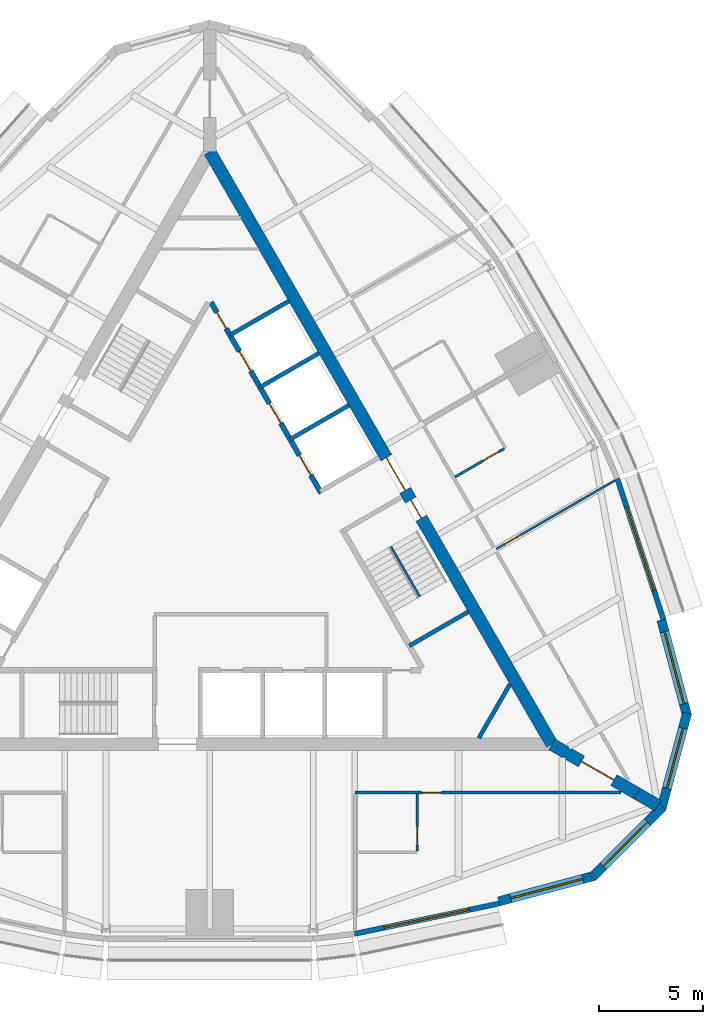
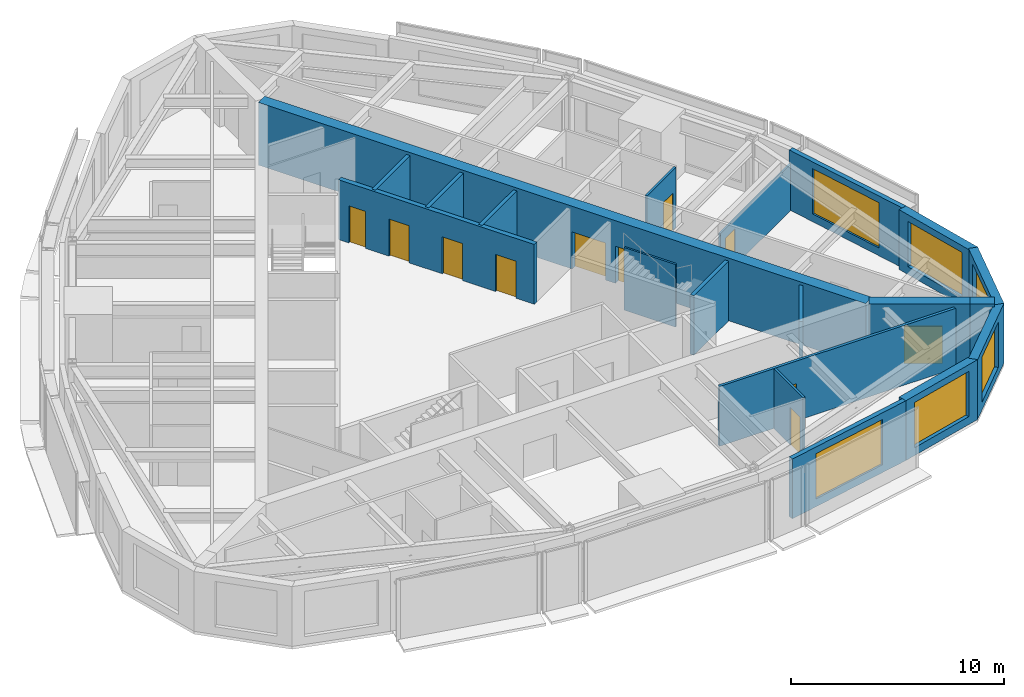
# One storey, part 9 of 12: 20 walls, 11 doors, 6 windows, 17 openings.
"""IFC4 building model written with IfcOpenShell, lengths in metres."""

import ifcopenshell
import ifcopenshell.guid

model = None  # the IFC model being written
_history = None  # IfcOwnerHistory: only IFC2X3 demands one
_inside = {}  # id of a spatial element -> (the spatial element, [elements in it])
_under = {}  # id of a project, library or spatial element -> (it, [spatial elements below it])
_declared = {}  # id of a project -> (the project, [libraries it declares])
_typed = {}  # id of a type object -> (the type object, [elements of that type])
_made_of = {}  # id of a material, layer set ... -> (it, [elements and type objects made of it])


def new_model(schema):
    """Start an empty IFC model of exactly this schema.

    Asked for "IFC4X3", IfcOpenShell would pick the latest addendum, in which some entities
    have other attributes; the version numbers below select the first issue.
    IFC2X3 requires an IfcOwnerHistory on every rooted entity: one is made here for all.
    """
    global model, _history
    if schema == "IFC4X3":
        model = ifcopenshell.file(schema_version=(4, 3, 0, 0))
    else:
        model = ifcopenshell.file(schema=schema)
    _inside.clear()
    _under.clear()
    _declared.clear()
    _typed.clear()
    _made_of.clear()
    _history = None
    if model.schema == "IFC2X3":
        org = make("IfcOrganization", Name="unknown")
        user = make(
            "IfcPersonAndOrganization",
            ThePerson=make("IfcPerson", FamilyName="unknown"),
            TheOrganization=org,
        )
        app = make(
            "IfcApplication",
            ApplicationDeveloper=org,
            Version="unknown",
            ApplicationFullName="unknown",
            ApplicationIdentifier="unknown",
        )
        _history = make(
            "IfcOwnerHistory",
            OwningUser=user,
            OwningApplication=app,
            ChangeAction="ADDED",
            CreationDate=0,
        )
    return model


def make(cls, **values):
    """One entity of the class cls with the attributes given. An attribute that is None is left unset."""
    return model.create_entity(
        cls, **{name: value for name, value in values.items() if value is not None}
    )


def rooted(cls, **values):
    """An entity with a GlobalId (a new one), such as an element, a storey or a relation."""
    return make(cls, GlobalId=ifcopenshell.guid.new(), OwnerHistory=_history, **values)


def si_unit(unit_type, name, prefix=None):
    """IfcSIUnit, for example si_unit("LENGTHUNIT", "METRE", prefix="MILLI")."""
    return make("IfcSIUnit", UnitType=unit_type, Prefix=prefix, Name=name)


def assignment(units):
    """IfcUnitAssignment: the units of a project."""
    return None if units is None else make("IfcUnitAssignment", Units=units)


def point(xyz):
    """IfcCartesianPoint."""
    return None if xyz is None else make("IfcCartesianPoint", Coordinates=xyz)


def direction(xyz):
    """IfcDirection."""
    return None if xyz is None else make("IfcDirection", DirectionRatios=xyz)


def frame(location, z_axis=None, x_axis=None):
    """IfcAxis2Placement3D, a coordinate frame: its origin and axes. An axis left out is left unset."""
    return make(
        "IfcAxis2Placement3D",
        Location=point(location),
        Axis=direction(z_axis),
        RefDirection=direction(x_axis),
    )


def frame_2d(location, x_axis=None):
    """IfcAxis2Placement2D, a coordinate frame in the plane: its origin and x axis."""
    return make(
        "IfcAxis2Placement2D", Location=point(location), RefDirection=direction(x_axis)
    )


def origin():
    """The frame at (0, 0, 0) with its axes left unset."""
    return frame((0.0, 0.0, 0.0))


def place(relative_to, where):
    """IfcLocalPlacement: puts the frame where relative to a parent placement (None: the world)."""
    return make(
        "IfcLocalPlacement", PlacementRelTo=relative_to, RelativePlacement=where
    )


def context(
    kind, dimensions, precision=None, world=None, true_north=None, identifier=None
):
    """IfcGeometricRepresentationContext, for example the 3D "Model" context."""
    return make(
        "IfcGeometricRepresentationContext",
        ContextIdentifier=identifier,
        ContextType=kind,
        CoordinateSpaceDimension=dimensions,
        Precision=precision,
        WorldCoordinateSystem=world,
        TrueNorth=true_north,
    )


def subcontext(parent, identifier, kind, view, scale=None):
    """IfcGeometricRepresentationSubContext, for example "Body" below "Model"."""
    return make(
        "IfcGeometricRepresentationSubContext",
        ContextIdentifier=identifier,
        ContextType=kind,
        ParentContext=parent,
        TargetScale=scale,
        TargetView=view,
    )


def project(units=None, contexts=None):
    """IfcProject with its units and contexts."""
    return rooted(
        "IfcProject",
        Name="project",
        RepresentationContexts=contexts,
        UnitsInContext=assignment(units),
    )


def spatial(cls, under=None, at=None, **own):
    """A site, building, storey or space (cls), placed at a placement, below another one or the project."""
    s = rooted(cls, ObjectPlacement=at, **own)
    if under is not None:
        _under.setdefault(under.id(), (under, []))[1].append(s)
    return s


def polyline(points):
    """IfcPolyline through the points."""
    return make("IfcPolyline", Points=[point(p) for p in points])


def profile(cls, at=None, kind="AREA", **sizes):
    """A parametric profile (cls). Its sizes go by their IFC names, for example OverallWidth=200.0."""
    return make(cls, ProfileType=kind, Position=at, **sizes)


def rectangle(**sizes):
    """IfcRectangleProfileDef."""
    return profile("IfcRectangleProfileDef", **sizes)


def outline(outer, holes=None, kind="AREA"):
    """IfcArbitraryClosedProfileDef: a profile drawn as a closed curve; with holes, ...WithVoids."""
    if holes is None:
        return make("IfcArbitraryClosedProfileDef", ProfileType=kind, OuterCurve=outer)
    return make(
        "IfcArbitraryProfileDefWithVoids",
        ProfileType=kind,
        OuterCurve=outer,
        InnerCurves=holes,
    )


def extrude(swept, where, along, depth):
    """IfcExtrudedAreaSolid: the profile swept, set in the frame where, extruded along a direction by depth."""
    return make(
        "IfcExtrudedAreaSolid",
        SweptArea=swept,
        Position=where,
        ExtrudedDirection=direction(along),
        Depth=depth,
    )


def shape(context_of_items, identifier, shape_type, items):
    """IfcShapeRepresentation: the items that make up one representation, for example the "Body"."""
    return make(
        "IfcShapeRepresentation",
        ContextOfItems=context_of_items,
        RepresentationIdentifier=identifier,
        RepresentationType=shape_type,
        Items=items,
    )


def material(Name=None, Category=None):
    """IfcMaterial."""
    return make("IfcMaterial", Name=Name, Category=Category)


def layer(
    of_material, thickness, ventilated=None, Name=None, Category=None, Priority=None
):
    """IfcMaterialLayer: one layer of a wall or slab, of a material (None: an air gap)."""
    return make(
        "IfcMaterialLayer",
        Material=of_material,
        LayerThickness=thickness,
        IsVentilated=ventilated,
        Name=Name,
        Category=Category,
        Priority=Priority,
    )


def layer_set(layers, Name=None):
    """IfcMaterialLayerSet."""
    return make("IfcMaterialLayerSet", MaterialLayers=layers, LayerSetName=Name)


def made_of(thing, what):
    """Note that an element or type object is made of a material, layer set ...; save() writes the relation."""
    if what is not None:
        _made_of.setdefault(what.id(), (what, []))[1].append(thing)
    return thing


def type_object(cls, material=None, **own):
    """A type object (cls), such as IfcWallType, which elements share."""
    return made_of(rooted(cls, **own), material)


def element(
    cls,
    number,
    at=None,
    inside=None,
    cuts=None,
    type_object=None,
    material=None,
    context=None,
    identifier="Body",
    shape_type=None,
    held_by="IfcProductDefinitionShape",
    body=None,
    shapes=None,
    **own,
):
    """One element of the class cls, such as IfcWall. Its Tag is "e" and its number.

    at: its placement. inside: the storey or other place that contains it. cuts: it is an
    opening in that element (IfcRelVoidsElement). A single representation is given by context,
    identifier, shape_type and body (its items); several are given by shapes. held_by: the class
    of the entity that holds the representations. save() writes the other relations.
    """
    e = rooted(cls, Tag="e%d" % number, ObjectPlacement=at, **own)
    if body is not None:
        shapes = [shape(context, identifier, shape_type, body)]
    if shapes is not None:
        e.Representation = make(held_by, Representations=shapes)
    if inside is not None:
        _inside.setdefault(inside.id(), (inside, []))[1].append(e)
    if cuts is not None:
        rooted(
            "IfcRelVoidsElement", RelatingBuildingElement=cuts, RelatedOpeningElement=e
        )
    if type_object is not None:
        _typed.setdefault(type_object.id(), (type_object, []))[1].append(e)
    return made_of(e, material)


def fill(opening, filler):
    """IfcRelFillsElement: the door or window that sits in an opening."""
    return rooted(
        "IfcRelFillsElement",
        RelatingOpeningElement=opening,
        RelatedBuildingElement=filler,
    )


def aggregate(whole, parts):
    """IfcRelAggregates: a whole, such as a stair, and the parts it consists of."""
    return rooted("IfcRelAggregates", RelatingObject=whole, RelatedObjects=parts)


def save(model, path):
    """Write the relations noted so far, then the file.

    IfcRelAggregates (storeys below a building ...), IfcRelContainedInSpatialStructure (elements
    in a storey), IfcRelDefinesByType, IfcRelAssociatesMaterial and IfcRelDeclares: one each for
    every whole, place, type object, material and project.
    """
    for whole, parts in _under.values():
        aggregate(whole, parts)
    for where, things in _inside.values():
        rooted(
            "IfcRelContainedInSpatialStructure",
            RelatedElements=things,
            RelatingStructure=where,
        )
    for kind, things in _typed.values():
        rooted("IfcRelDefinesByType", RelatedObjects=things, RelatingType=kind)
    for what, things in _made_of.values():
        rooted("IfcRelAssociatesMaterial", RelatedObjects=things, RelatingMaterial=what)
    for by, libraries in _declared.values():
        rooted("IfcRelDeclares", RelatingContext=by, RelatedDefinitions=libraries)
    model.write(path)


model = new_model("IFC4")

# Units and contexts
model_context = context("Model", 3, precision=1e-05, world=origin(), true_north=direction((0.0, 1.0)))
body_context = subcontext(model_context, "Body", "Model", "MODEL_VIEW")
ifc_project = project(units=[si_unit("LENGTHUNIT", "METRE"), si_unit("AREAUNIT", "SQUARE_METRE"), si_unit("VOLUMEUNIT", "CUBIC_METRE"), si_unit("PLANEANGLEUNIT", "RADIAN"), si_unit("MASSUNIT", "GRAM", prefix="KILO")], contexts=[model_context])

# Site, building, storey
site_placement = place(None, origin())
site = spatial("IfcSite", under=ifc_project, at=site_placement, CompositionType="ELEMENT")
building_placement = place(site_placement, origin())
building = spatial("IfcBuilding", under=site, at=building_placement, Name="Trikona Tower", CompositionType="ELEMENT")
storey_placement = place(building_placement, frame((0.0, 0.0, 257.300048828125)))
storey = spatial("IfcBuildingStorey", under=building, at=storey_placement, Name="L68", CompositionType="ELEMENT", Elevation=257.300048828125)

# Wall, opening, door
ifc_material_1 = material(Name="Metal stud and cement board", Category="gypsum")
ifc_layer_1 = layer(ifc_material_1, 0.1201171875)
ifc_layer_set_1 = layer_set([ifc_layer_1], Name="Bathroom wall 120")
wall_type_1 = type_object("IfcWallType", Name="Bathroom wall 120", PredefinedType="PLUMBINGWALL", material=ifc_layer_set_1)
wall_1_placement = place(storey_placement, frame((10.0, -11.92626953125, 0.0), z_axis=(0.0, 0.0, 1.0), x_axis=(0.0, -1.0, 0.0)))
wall_1 = element("IfcWall", 1, at=wall_1_placement, inside=storey, type_object=wall_type_1, Name="Bathroom wall 6802", PredefinedType="PLUMBINGWALL", context=body_context, shape_type="SweptSolid", body=[
    extrude(rectangle(XDim=2.739990234375, YDim=0.1201171875, at=frame_2d((1.3701171875, 0.0))), origin(), (0.0, 0.0, 1.0), 3.43505859375),
])
opening_1_placement = place(wall_1_placement, frame((1.550048828125, 0.0, 0.0)))
opening_1 = element("IfcOpeningElement", 2, at=opening_1_placement, cuts=wall_1, Name="Opening D2", PredefinedType="OPENING", context=body_context, shape_type="SweptSolid", body=[
    extrude(rectangle(XDim=0.89990234375, YDim=2.1298828125, at=frame_2d((0.449951171875, 1.06494140625))), frame((0.0, 0.070068359375, 0.0), z_axis=(0.0, -1.0, 0.0), x_axis=(1.0, 0.0, 0.0)), (0.0, 0.0, 1.0), 0.14013671875),
])
ifc_material_2 = material(Name="Steel door frame with solid-core timber leaf", Category="steel")
door_type_1 = type_object("IfcDoorType", Name="Bathroom door 900x2130", OperationType="SLIDING_TO_LEFT", PredefinedType="DOOR", material=ifc_material_2)
door_1_placement = place(opening_1_placement, origin())
door_1 = element("IfcDoor", 3, at=door_1_placement, inside=storey, type_object=door_type_1, Name="Bathroom door 6802", OperationType="SLIDING_TO_LEFT", OverallHeight=2.1298828125, OverallWidth=0.89990234375, PredefinedType="DOOR", context=body_context, shape_type="SweptSolid", body=[
    extrude(rectangle(XDim=0.89990234375, YDim=2.1298828125, at=frame_2d((0.449951171875, 1.06494140625))), frame((0.0, 0.02490234375, 0.0), z_axis=(0.0, -1.0, 0.0), x_axis=(1.0, 0.0, 0.0)), (0.0, 0.0, 1.0), 0.050048828125),
])
fill(opening_1, door_1)

wall_2_placement = place(storey_placement, frame((11.82861328125, 3.364990234375, 0.0), z_axis=(0.0, 0.0, 1.0), x_axis=(0.865997131366, 0.500048966069, 0.0)))
wall_2 = element("IfcWall", 4, at=wall_2_placement, inside=storey, type_object=wall_type_1, Name="Bathroom wall 6803.1", PredefinedType="PLUMBINGWALL", context=body_context, shape_type="SweptSolid", body=[
    extrude(rectangle(XDim=2.739990234375, YDim=0.1201171875, at=frame_2d((1.3701171875, 0.0))), origin(), (0.0, 0.0, 1.0), 3.43505859375),
])
opening_2_placement = place(wall_2_placement, frame((1.550048828125, 0.0, 0.0)))
opening_2 = element("IfcOpeningElement", 5, at=opening_2_placement, cuts=wall_2, Name="Opening D2", PredefinedType="OPENING", context=body_context, shape_type="SweptSolid", body=[
    extrude(rectangle(XDim=0.89990234375, YDim=2.1298828125, at=frame_2d((0.449951171875, 1.06494140625))), frame((0.0, 0.070068359375, 0.0), z_axis=(0.0, -1.0, 0.0), x_axis=(1.0, 0.0, 0.0)), (0.0, 0.0, 1.0), 0.14013671875),
])
door_2_placement = place(opening_2_placement, origin())
door_2 = element("IfcDoor", 6, at=door_2_placement, inside=storey, type_object=door_type_1, Name="Bathroom door 6803.1", OperationType="SLIDING_TO_LEFT", OverallHeight=2.1298828125, OverallWidth=0.89990234375, PredefinedType="DOOR", context=body_context, shape_type="SweptSolid", body=[
    extrude(rectangle(XDim=0.89990234375, YDim=2.1298828125, at=frame_2d((0.449951171875, 1.06494140625))), frame((0.0, 0.02490234375, 0.0), z_axis=(0.0, -1.0, 0.0), x_axis=(1.0, 0.0, 0.0)), (0.0, 0.0, 1.0), 0.050048828125),
])
fill(opening_2, door_2)

# Wall, opening, window
ifc_material_3 = material(Name="Brick-faced precast concrete", Category="masonry")
ifc_layer_2 = layer(ifc_material_3, 0.449951171875)
ifc_layer_set_2 = layer_set([ifc_layer_2], Name="Brick-faced corner wall 450")
wall_type_2 = type_object("IfcWallType", Name="Brick-faced corner wall 450", PredefinedType="SOLIDWALL", material=ifc_layer_set_2)
wall_3_placement = place(storey_placement, frame((13.94189453125, -17.103271484375, 0.0), z_axis=(0.0, 0.0, 1.0), x_axis=(0.965913862671, 0.258863689806, 0.0)))
wall_3 = element("IfcWall", 7, at=wall_3_placement, inside=storey, type_object=wall_type_2, Name="External wall L68-05", PredefinedType="SOLIDWALL", context=body_context, shape_type="SweptSolid", body=[
    extrude(rectangle(XDim=4.78173828125, YDim=0.449951171875, at=frame_2d((2.390869140625, 0.0))), origin(), (0.0, 0.0, 1.0), 3.43505859375),
])
opening_3_placement = place(wall_3_placement, frame((0.5908203125, 0.0, 0.449951171875)))
opening_3 = element("IfcOpeningElement", 8, at=opening_3_placement, cuts=wall_3, Name="Opening W3626", PredefinedType="OPENING", context=body_context, shape_type="SweptSolid", body=[
    extrude(rectangle(XDim=3.60009765625, YDim=2.60009765625, at=frame_2d((1.800048828125, 1.300048828125))), frame((0.0, 0.23486328125, 0.0), z_axis=(0.0, -1.0, 0.0), x_axis=(1.0, 0.0, 0.0)), (0.0, 0.0, 1.0), 0.469970703125),
])
ifc_material_4 = material(Name="Aluminium-framed double glazing", Category="aluminium")
window_type_1 = type_object("IfcWindowType", Name="Window 3600x2600", PartitioningType="SINGLE_PANEL", PredefinedType="WINDOW", material=ifc_material_4)
window_1_placement = place(opening_3_placement, origin())
window_1 = element("IfcWindow", 9, at=window_1_placement, inside=storey, type_object=window_type_1, Name="Window 6802", OverallHeight=2.60009765625, OverallWidth=3.60009765625, PartitioningType="SINGLE_PANEL", PredefinedType="WINDOW", context=body_context, shape_type="SweptSolid", body=[
    extrude(rectangle(XDim=3.60009765625, YDim=2.60009765625, at=frame_2d((1.800048828125, 1.300048828125))), frame((0.0, 0.030029296875, 0.0), z_axis=(0.0, -1.0, 0.0), x_axis=(1.0, 0.0, 0.0)), (0.0, 0.0, 1.0), 0.06005859375),
])
fill(opening_3, window_1)

wall_4_placement = place(storey_placement, frame((18.459716796875, -15.923828125, 0.0), z_axis=(0.0, 0.0, 1.0), x_axis=(0.707081252484, 0.707132308968, 0.0)))
wall_4 = element("IfcWall", 10, at=wall_4_placement, inside=storey, type_object=wall_type_2, Name="External wall L68-06", PredefinedType="SOLIDWALL", context=body_context, shape_type="SweptSolid", body=[
    extrude(outline(polyline([(4.78173828125, 0.22509765625), (4.722900390625, 0.22509765625), (4.37548828125, 0.1318359375), (4.3505859375, 0.22509765625), (0.0, 0.22509765625), (0.0, -0.22509765625), (4.78173828125, -0.22509765625), (4.78173828125, 0.22509765625)])), origin(), (0.0, 0.0, 1.0), 3.43505859375),
])
opening_4_placement = place(wall_4_placement, frame((0.750244140625, 0.0, 0.449951171875)))
opening_4 = element("IfcOpeningElement", 11, at=opening_4_placement, cuts=wall_4, Name="Opening W3026", PredefinedType="OPENING", context=body_context, shape_type="SweptSolid", body=[
    extrude(rectangle(XDim=3.0, YDim=2.60009765625, at=frame_2d((1.5, 1.300048828125))), frame((0.0, 0.23486328125, 0.0), z_axis=(0.0, -1.0, 0.0), x_axis=(1.0, 0.0, 0.0)), (0.0, 0.0, 1.0), 0.469970703125),
])
ifc_material_5 = material(Name="Aluminium-framed double glazing", Category="aluminium")
window_type_2 = type_object("IfcWindowType", Name="Window 3000x2600", PartitioningType="SINGLE_PANEL", PredefinedType="WINDOW", material=ifc_material_5)
window_2_placement = place(opening_4_placement, origin())
window_2 = element("IfcWindow", 12, at=window_2_placement, inside=storey, type_object=window_type_2, Name="Window 6802", OverallHeight=2.60009765625, OverallWidth=3.0, PartitioningType="SINGLE_PANEL", PredefinedType="WINDOW", context=body_context, shape_type="SweptSolid", body=[
    extrude(rectangle(XDim=3.0, YDim=2.60009765625, at=frame_2d((1.5, 1.300048828125))), frame((0.0, 0.030029296875, 0.0), z_axis=(0.0, -1.0, 0.0), x_axis=(1.0, 0.0, 0.0)), (0.0, 0.0, 1.0), 0.06005859375),
])
fill(opening_4, window_2)

wall_5_placement = place(storey_placement, frame((21.78271484375, -12.6435546875, 0.0), z_axis=(0.0, 0.0, 1.0), x_axis=(0.25880328844, 0.965930048136, 0.0)))
wall_5 = element("IfcWall", 13, at=wall_5_placement, inside=storey, type_object=wall_type_2, Name="External wall L68-07", PredefinedType="SOLIDWALL", context=body_context, shape_type="SweptSolid", body=[
    extrude(outline(polyline([(4.78173828125, 0.22509765625), (0.43115234375, 0.22509765625), (0.40625, 0.132080078125), (0.0595703125, 0.22509765625), (0.0, 0.22509765625), (0.0, -0.22509765625), (4.78173828125, -0.22509765625), (4.78173828125, 0.22509765625)])), origin(), (0.0, 0.0, 1.0), 3.43505859375),
])
opening_5_placement = place(wall_5_placement, frame((1.031494140625, 0.0, 0.449951171875)))
opening_5 = element("IfcOpeningElement", 14, at=opening_5_placement, cuts=wall_5, Name="Opening W3026", PredefinedType="OPENING", context=body_context, shape_type="SweptSolid", body=[
    extrude(rectangle(XDim=3.0, YDim=2.60009765625, at=frame_2d((1.5, 1.300048828125))), frame((0.0, 0.23486328125, 0.0), z_axis=(0.0, -1.0, 0.0), x_axis=(1.0, 0.0, 0.0)), (0.0, 0.0, 1.0), 0.469970703125),
])
window_3_placement = place(opening_5_placement, origin())
window_3 = element("IfcWindow", 15, at=window_3_placement, inside=storey, type_object=window_type_2, Name="Window 6803", OverallHeight=2.60009765625, OverallWidth=3.0, PartitioningType="SINGLE_PANEL", PredefinedType="WINDOW", context=body_context, shape_type="SweptSolid", body=[
    extrude(rectangle(XDim=3.0, YDim=2.60009765625, at=frame_2d((1.5, 1.300048828125))), frame((0.0, 0.030029296875, 0.0), z_axis=(0.0, -1.0, 0.0), x_axis=(1.0, 0.0, 0.0)), (0.0, 0.0, 1.0), 0.06005859375),
])
fill(opening_5, window_3)

wall_6_placement = place(storey_placement, frame((23.020263671875, -8.14111328125, 0.0), z_axis=(0.0, 0.0, 1.0), x_axis=(-0.25880328844, 0.965930048136, 0.0)))
wall_6 = element("IfcWall", 16, at=wall_6_placement, inside=storey, type_object=wall_type_2, Name="External wall L68-08", PredefinedType="SOLIDWALL", context=body_context, shape_type="SweptSolid", body=[
    extrude(rectangle(XDim=4.78173828125, YDim=0.449951171875, at=frame_2d((2.390869140625, 0.0))), origin(), (0.0, 0.0, 1.0), 3.43505859375),
])
opening_6_placement = place(wall_6_placement, frame((0.5908203125, 0.0, 0.449951171875)))
opening_6 = element("IfcOpeningElement", 17, at=opening_6_placement, cuts=wall_6, Name="Opening W3626", PredefinedType="OPENING", context=body_context, shape_type="SweptSolid", body=[
    extrude(rectangle(XDim=3.60009765625, YDim=2.60009765625, at=frame_2d((1.800048828125, 1.300048828125))), frame((0.0, 0.23486328125, 0.0), z_axis=(0.0, -1.0, 0.0), x_axis=(1.0, 0.0, 0.0)), (0.0, 0.0, 1.0), 0.469970703125),
])
window_4_placement = place(opening_6_placement, origin())
window_4 = element("IfcWindow", 18, at=window_4_placement, inside=storey, type_object=window_type_1, Name="Window 6803", OverallHeight=2.60009765625, OverallWidth=3.60009765625, PartitioningType="SINGLE_PANEL", PredefinedType="WINDOW", context=body_context, shape_type="SweptSolid", body=[
    extrude(rectangle(XDim=3.60009765625, YDim=2.60009765625, at=frame_2d((1.800048828125, 1.300048828125))), frame((0.0, 0.030029296875, 0.0), z_axis=(0.0, -1.0, 0.0), x_axis=(1.0, 0.0, 0.0)), (0.0, 0.0, 1.0), 0.06005859375),
])
fill(opening_6, window_4)

# Wall, opening, door
ifc_material_6 = material(Name="Concrete f'c 10000 psi", Category="concrete")
ifc_layer_3 = layer(ifc_material_6, 0.60009765625)
ifc_layer_set_3 = layer_set([ifc_layer_3], Name="Buttress wall 600")
wall_type_3 = type_object("IfcWallType", Name="Buttress wall 600", PredefinedType="SHEAR", material=ifc_layer_set_3)
wall_7_placement = place(storey_placement, frame((16.5, -9.5263671875, 0.0), z_axis=(0.0, 0.0, 1.0), x_axis=(0.866031398331, -0.499989616998, 0.0)))
wall_7 = element("IfcWall", 19, at=wall_7_placement, inside=storey, type_object=wall_type_3, Name="Buttress wall 1", PredefinedType="SHEAR", context=body_context, shape_type="SweptSolid", body=[
    extrude(rectangle(XDim=4.74609375, YDim=0.60009765625, at=frame_2d((2.373046875, 0.0))), origin(), (0.0, 0.0, 1.0), 3.599853515625),
])
opening_7_placement = place(wall_7_placement, frame((1.64990234375, 0.0, 0.0)))
opening_7 = element("IfcOpeningElement", 20, at=opening_7_placement, cuts=wall_7, Name="Opening D10", PredefinedType="OPENING", context=body_context, shape_type="SweptSolid", body=[
    extrude(rectangle(XDim=1.800048828125, YDim=2.1298828125, at=frame_2d((0.89990234375, 1.06494140625))), frame((0.0, 0.31005859375, 0.0), z_axis=(0.0, -1.0, 0.0), x_axis=(1.0, 0.0, 0.0)), (0.0, 0.0, 1.0), 0.6201171875),
])
ifc_material_7 = material(Name="Hollow metal door and frame", Category="steel")
door_type_2 = type_object("IfcDoorType", Name="Cross-corridor door pair 1800x2130", OperationType="DOUBLE_DOOR_DOUBLE_SWING", PredefinedType="DOOR", material=ifc_material_7)
door_3_placement = place(opening_7_placement, origin())
door_3 = element("IfcDoor", 21, at=door_3_placement, inside=storey, type_object=door_type_2, Name="Cross-corridor door 1", OperationType="DOUBLE_DOOR_DOUBLE_SWING", OverallHeight=2.1298828125, OverallWidth=1.800048828125, PredefinedType="DOOR", context=body_context, shape_type="SweptSolid", body=[
    extrude(rectangle(XDim=1.800048828125, YDim=2.1298828125, at=frame_2d((0.89990234375, 1.06494140625))), frame((0.0, 0.02490234375, 0.0), z_axis=(0.0, -1.0, 0.0), x_axis=(1.0, 0.0, 0.0)), (0.0, 0.0, 1.0), 0.050048828125),
])
fill(opening_7, door_3)

# Wall
wall_8_placement = place(storey_placement, frame((20.6103515625, -11.8994140625, 0.0), z_axis=(0.0, 0.0, 1.0), x_axis=(0.866009537788, -0.500027479704, 0.0)))
element("IfcWall", 22, at=wall_8_placement, inside=storey, type_object=wall_type_3, Name="Buttress wall 1 part 2", PredefinedType="SHEAR", context=body_context, shape_type="SweptSolid", body=[
    extrude(rectangle(XDim=1.15478515625, YDim=0.60009765625, at=frame_2d((0.577392578125, 0.0))), origin(), (0.0, 0.0, 1.0), 3.599853515625),
])

# Wall, openings, doors
ifc_material_8 = material(Name="Concrete f'c 10000 psi", Category="concrete")
ifc_layer_4 = layer(ifc_material_8, 0.60009765625)
ifc_layer_set_4 = layer_set([ifc_layer_4], Name="Core wall 600")
wall_type_4 = type_object("IfcWallType", Name="Core wall 600", PredefinedType="SHEAR", material=ifc_layer_set_4)
wall_9_placement = place(storey_placement, frame((16.5, -9.5263671875, 0.0), z_axis=(0.0, 0.0, 1.0), x_axis=(-0.499999749417, 0.866025548458, 0.0)))
wall_9 = element("IfcWall", 23, at=wall_9_placement, inside=storey, type_object=wall_type_4, Name="Core wall B", PredefinedType="SHEAR", context=body_context, shape_type="SweptSolid", body=[
    extrude(rectangle(XDim=33.0, YDim=0.60009765625, at=frame_2d((16.5, 0.0))), origin(), (0.0, 0.0, 1.0), 3.599853515625),
])
opening_8_placement = place(wall_9_placement, frame((14.14990234375, 0.0, 0.0)))
opening_8 = element("IfcOpeningElement", 24, at=opening_8_placement, cuts=wall_9, Name="Opening D6", PredefinedType="OPENING", context=body_context, shape_type="SweptSolid", body=[
    extrude(rectangle(XDim=1.800048828125, YDim=2.1298828125, at=frame_2d((0.89990234375, 1.06494140625))), frame((0.0, 0.31005859375, 0.0), z_axis=(0.0, -1.0, 0.0), x_axis=(1.0, 0.0, 0.0)), (0.0, 0.0, 1.0), 0.6201171875),
])
opening_9_placement = place(wall_9_placement, frame((12.60009765625, 0.0, 0.0)))
opening_9 = element("IfcOpeningElement", 25, at=opening_9_placement, cuts=wall_9, Name="Opening D5", PredefinedType="OPENING", context=body_context, shape_type="SweptSolid", body=[
    extrude(rectangle(XDim=1.0, YDim=2.1298828125, at=frame_2d((0.5, 1.06494140625))), frame((0.0, 0.31005859375, 0.0), z_axis=(0.0, -1.0, 0.0), x_axis=(1.0, 0.0, 0.0)), (0.0, 0.0, 1.0), 0.6201171875),
])
ifc_material_9 = material(Name="Hollow metal door and frame", Category="steel")
door_type_3 = type_object("IfcDoorType", Name="Lobby door pair 1800x2130", OperationType="DOUBLE_DOOR_SINGLE_SWING", PredefinedType="DOOR", material=ifc_material_9)
door_4_placement = place(opening_8_placement, origin())
door_4 = element("IfcDoor", 26, at=door_4_placement, inside=storey, type_object=door_type_3, Name="Lift lobby door B", OperationType="DOUBLE_DOOR_SINGLE_SWING", OverallHeight=2.1298828125, OverallWidth=1.800048828125, PredefinedType="DOOR", context=body_context, shape_type="SweptSolid", body=[
    extrude(rectangle(XDim=1.800048828125, YDim=2.1298828125, at=frame_2d((0.89990234375, 1.06494140625))), frame((0.0, 0.02490234375, 0.0), z_axis=(0.0, -1.0, 0.0), x_axis=(1.0, 0.0, 0.0)), (0.0, 0.0, 1.0), 0.050048828125),
])
fill(opening_8, door_4)
ifc_material_10 = material(Name="Hollow metal door and frame", Category="steel")
door_type_4 = type_object("IfcDoorType", Name="Stair door 1000x2130", OperationType="SINGLE_SWING_LEFT", PredefinedType="DOOR", material=ifc_material_10)
door_5_placement = place(opening_9_placement, origin())
door_5 = element("IfcDoor", 27, at=door_5_placement, inside=storey, type_object=door_type_4, Name="Stair B door", OperationType="SINGLE_SWING_RIGHT", OverallHeight=2.1298828125, OverallWidth=1.0, PredefinedType="DOOR", context=body_context, shape_type="SweptSolid", body=[
    extrude(rectangle(XDim=1.0, YDim=2.1298828125, at=frame_2d((0.5, 1.06494140625))), frame((0.0, 0.02490234375, 0.0), z_axis=(0.0, -1.0, 0.0), x_axis=(1.0, 0.0, 0.0)), (0.0, 0.0, 1.0), 0.050048828125),
])
fill(opening_9, door_5)

# Wall, opening, door
ifc_material_11 = material(Name="Metal stud and gypsum board, 1-hour", Category="gypsum")
ifc_layer_5 = layer(ifc_material_11, 0.14990234375)
ifc_layer_set_5 = layer_set([ifc_layer_5], Name="Corridor wall 150")
wall_type_5 = type_object("IfcWallType", Name="Corridor wall 150", PredefinedType="PARTITIONING", material=ifc_layer_set_5)
wall_10_placement = place(storey_placement, frame((7.0, -11.851318359375, 0.0), z_axis=(0.0, 0.0, 1.0), x_axis=(1.0, 0.0, 0.0)))
wall_10 = element("IfcWall", 28, at=wall_10_placement, inside=storey, type_object=wall_type_5, Name="Corridor wall L68-1B", PredefinedType="PARTITIONING", context=body_context, shape_type="SweptSolid", body=[
    extrude(rectangle(XDim=12.826904296875, YDim=0.14990234375, at=frame_2d((6.41357421875, 0.0))), origin(), (0.0, 0.0, 1.0), 3.43505859375),
])
opening_10_placement = place(wall_10_placement, frame((3.22509765625, 0.0, 0.0)))
opening_10 = element("IfcOpeningElement", 29, at=opening_10_placement, cuts=wall_10, Name="Opening D1", PredefinedType="OPENING", context=body_context, shape_type="SweptSolid", body=[
    extrude(rectangle(XDim=0.949951171875, YDim=2.1298828125, at=frame_2d((0.47509765625, 1.06494140625))), frame((0.0, 0.0849609375, 0.0), z_axis=(0.0, -1.0, 0.0), x_axis=(1.0, 0.0, 0.0)), (0.0, 0.0, 1.0), 0.169921875),
])
ifc_material_12 = material(Name="Steel door frame with solid-core timber leaf", Category="steel")
door_type_5 = type_object("IfcDoorType", Name="Guest room door 950x2130", OperationType="SINGLE_SWING_LEFT", PredefinedType="DOOR", material=ifc_material_12)
door_6_placement = place(opening_10_placement, origin())
door_6 = element("IfcDoor", 30, at=door_6_placement, inside=storey, type_object=door_type_5, Name="Room door 6802", OperationType="SINGLE_SWING_LEFT", OverallHeight=2.1298828125, OverallWidth=0.949951171875, PredefinedType="DOOR", context=body_context, shape_type="SweptSolid", body=[
    extrude(rectangle(XDim=0.949951171875, YDim=2.1298828125, at=frame_2d((0.47509765625, 1.06494140625))), frame((0.0, 0.02490234375, 0.0), z_axis=(0.0, -1.0, 0.0), x_axis=(1.0, 0.0, 0.0)), (0.0, 0.0, 1.0), 0.050048828125),
])
fill(opening_10, door_6)

# Wall, openings, doors
ifc_material_13 = material(Name="Concrete f'c 8000 psi", Category="concrete")
ifc_layer_6 = layer(ifc_material_13, 0.25)
ifc_layer_set_6 = layer_set([ifc_layer_6], Name="Hub wall 250")
wall_type_6 = type_object("IfcWallType", Name="Hub wall 250", PredefinedType="SOLIDWALL", material=ifc_layer_set_6)
wall_11_placement = place(storey_placement, frame((5.37890625, 2.5859375, 0.0), z_axis=(0.0, 0.0, 1.0), x_axis=(-0.500001375892, 0.866024609411, 0.0)))
wall_11 = element("IfcWall", 31, at=wall_11_placement, inside=storey, type_object=wall_type_6, Name="Lift lobby wall B2", PredefinedType="SOLIDWALL", context=body_context, shape_type="SweptSolid", body=[
    extrude(rectangle(XDim=10.6328125, YDim=0.25, at=frame_2d((5.31640625, 0.0))), origin(), (0.0, 0.0, 1.0), 3.43505859375),
])
opening_11_placement = place(wall_11_placement, frame((9.1640625, 0.0, 0.0)))
opening_11 = element("IfcOpeningElement", 32, at=opening_11_placement, cuts=wall_11, Name="Opening D14", PredefinedType="OPENING", context=body_context, shape_type="SweptSolid", body=[
    extrude(rectangle(XDim=0.89990234375, YDim=2.1298828125, at=frame_2d((0.449951171875, 1.06494140625))), frame((0.0, 0.135009765625, 0.0), z_axis=(0.0, -1.0, 0.0), x_axis=(1.0, 0.0, 0.0)), (0.0, 0.0, 1.0), 0.27001953125),
])
opening_12_placement = place(wall_11_placement, frame((1.0, 0.0, 0.0)))
opening_12 = element("IfcOpeningElement", 33, at=opening_12_placement, cuts=wall_11, Name="Opening LD", PredefinedType="OPENING", context=body_context, shape_type="SweptSolid", body=[
    extrude(rectangle(XDim=1.10009765625, YDim=2.1298828125, at=frame_2d((0.550048828125, 1.06494140625))), frame((0.0, 0.135009765625, 0.0), z_axis=(0.0, -1.0, 0.0), x_axis=(1.0, 0.0, 0.0)), (0.0, 0.0, 1.0), 0.27001953125),
])
opening_13_placement = place(wall_11_placement, frame((3.89990234375, 0.0, 0.0)))
opening_13 = element("IfcOpeningElement", 34, at=opening_13_placement, cuts=wall_11, Name="Opening LD", PredefinedType="OPENING", context=body_context, shape_type="SweptSolid", body=[
    extrude(rectangle(XDim=1.10009765625, YDim=2.1298828125, at=frame_2d((0.550048828125, 1.06494140625))), frame((0.0, 0.135009765625, 0.0), z_axis=(0.0, -1.0, 0.0), x_axis=(1.0, 0.0, 0.0)), (0.0, 0.0, 1.0), 0.27001953125),
])
opening_14_placement = place(wall_11_placement, frame((6.800048828125, 0.0, 0.0)))
opening_14 = element("IfcOpeningElement", 35, at=opening_14_placement, cuts=wall_11, Name="Opening LD", PredefinedType="OPENING", context=body_context, shape_type="SweptSolid", body=[
    extrude(rectangle(XDim=1.10009765625, YDim=2.1298828125, at=frame_2d((0.550048828125, 1.06494140625))), frame((0.0, 0.135009765625, 0.0), z_axis=(0.0, -1.0, 0.0), x_axis=(1.0, 0.0, 0.0)), (0.0, 0.0, 1.0), 0.27001953125),
])
ifc_material_14 = material(Name="Stainless steel lift landing door", Category="steel")
door_type_6 = type_object("IfcDoorType", Name="Lift landing door 1100x2130", OperationType="DOUBLE_DOOR_SLIDING", PredefinedType="USERDEFINED", material=ifc_material_14)
door_7_placement = place(opening_12_placement, origin())
door_7 = element("IfcDoor", 36, at=door_7_placement, inside=storey, type_object=door_type_6, Name="Lift landing door L3-1", ObjectType="LIFT LANDING DOOR", OperationType="DOUBLE_DOOR_SLIDING", OverallHeight=2.1298828125, OverallWidth=1.10009765625, PredefinedType="USERDEFINED", context=body_context, shape_type="SweptSolid", body=[
    extrude(rectangle(XDim=1.10009765625, YDim=2.1298828125, at=frame_2d((0.550048828125, 1.06494140625))), frame((0.0, 0.02490234375, 0.0), z_axis=(0.0, -1.0, 0.0), x_axis=(1.0, 0.0, 0.0)), (0.0, 0.0, 1.0), 0.050048828125),
])
fill(opening_12, door_7)
door_8_placement = place(opening_13_placement, origin())
door_8 = element("IfcDoor", 37, at=door_8_placement, inside=storey, type_object=door_type_6, Name="Lift landing door L3-2", ObjectType="LIFT LANDING DOOR", OperationType="DOUBLE_DOOR_SLIDING", OverallHeight=2.1298828125, OverallWidth=1.10009765625, PredefinedType="USERDEFINED", context=body_context, shape_type="SweptSolid", body=[
    extrude(rectangle(XDim=1.10009765625, YDim=2.1298828125, at=frame_2d((0.550048828125, 1.06494140625))), frame((0.0, 0.02490234375, 0.0), z_axis=(0.0, -1.0, 0.0), x_axis=(1.0, 0.0, 0.0)), (0.0, 0.0, 1.0), 0.050048828125),
])
fill(opening_13, door_8)
door_9_placement = place(opening_14_placement, origin())
door_9 = element("IfcDoor", 38, at=door_9_placement, inside=storey, type_object=door_type_6, Name="Lift landing door L3-3", ObjectType="LIFT LANDING DOOR", OperationType="DOUBLE_DOOR_SLIDING", OverallHeight=2.1298828125, OverallWidth=1.10009765625, PredefinedType="USERDEFINED", context=body_context, shape_type="SweptSolid", body=[
    extrude(rectangle(XDim=1.10009765625, YDim=2.1298828125, at=frame_2d((0.550048828125, 1.06494140625))), frame((0.0, 0.02490234375, 0.0), z_axis=(0.0, -1.0, 0.0), x_axis=(1.0, 0.0, 0.0)), (0.0, 0.0, 1.0), 0.050048828125),
])
fill(opening_14, door_9)
ifc_material_15 = material(Name="Hollow metal door and frame", Category="steel")
door_type_7 = type_object("IfcDoorType", Name="Service room door 900x2130", OperationType="SINGLE_SWING_LEFT", PredefinedType="DOOR", material=ifc_material_15)
door_10_placement = place(opening_11_placement, origin())
door_10 = element("IfcDoor", 39, at=door_10_placement, inside=storey, type_object=door_type_7, Name="Door Linen store LIN", OperationType="SINGLE_SWING_RIGHT", OverallHeight=2.1298828125, OverallWidth=0.89990234375, PredefinedType="DOOR", context=body_context, shape_type="SweptSolid", body=[
    extrude(rectangle(XDim=0.89990234375, YDim=2.1298828125, at=frame_2d((0.449951171875, 1.06494140625))), frame((0.0, 0.02490234375, 0.0), z_axis=(0.0, -1.0, 0.0), x_axis=(1.0, 0.0, 0.0)), (0.0, 0.0, 1.0), 0.050048828125),
])
fill(opening_11, door_10)

# Wall, opening, window
ifc_material_16 = material(Name="Insulated precast concrete spandrel panel", Category="concrete")
ifc_layer_7 = layer(ifc_material_16, 0.25)
ifc_layer_set_7 = layer_set([ifc_layer_7], Name="Inner skin wall 250")
wall_type_7 = type_object("IfcWallType", Name="Inner skin wall 250", PredefinedType="STANDARD", material=ifc_layer_set_7)
wall_12_placement = place(storey_placement, frame((6.974365234375, -18.668212890625, 0.0), z_axis=(0.0, 0.0, 1.0), x_axis=(0.978654320409, 0.205513311355, 0.0)))
wall_12 = element("IfcWall", 40, at=wall_12_placement, inside=storey, type_object=wall_type_7, Name="External wall L68-04", PredefinedType="STANDARD", context=body_context, shape_type="SweptSolid", body=[
    extrude(rectangle(XDim=7.152587890625, YDim=0.25, at=frame_2d((3.576171875, 0.0))), origin(), (0.0, 0.0, 1.0), 3.43505859375),
])
opening_15_placement = place(wall_12_placement, frame((1.476318359375, 0.0, 0.449951171875)))
opening_15 = element("IfcOpeningElement", 41, at=opening_15_placement, cuts=wall_12, Name="Opening W4226", PredefinedType="OPENING", context=body_context, shape_type="SweptSolid", body=[
    extrude(rectangle(XDim=4.199951171875, YDim=2.60009765625, at=frame_2d((2.10009765625, 1.300048828125))), frame((0.0, 0.135009765625, 0.0), z_axis=(0.0, -1.0, 0.0), x_axis=(1.0, 0.0, 0.0)), (0.0, 0.0, 1.0), 0.27001953125),
])
ifc_material_17 = material(Name="Aluminium-framed double glazing", Category="aluminium")
window_type_3 = type_object("IfcWindowType", Name="Window 4200x2600", PartitioningType="SINGLE_PANEL", PredefinedType="WINDOW", material=ifc_material_17)
window_5_placement = place(opening_15_placement, origin())
window_5 = element("IfcWindow", 42, at=window_5_placement, inside=storey, type_object=window_type_3, Name="Window 6802", OverallHeight=2.60009765625, OverallWidth=4.199951171875, PartitioningType="SINGLE_PANEL", PredefinedType="WINDOW", context=body_context, shape_type="SweptSolid", body=[
    extrude(rectangle(XDim=4.199951171875, YDim=2.60009765625, at=frame_2d((2.10009765625, 1.300048828125))), frame((0.0, 0.030029296875, 0.0), z_axis=(0.0, -1.0, 0.0), x_axis=(1.0, 0.0, 0.0)), (0.0, 0.0, 1.0), 0.06005859375),
])
fill(opening_15, window_5)

wall_13_placement = place(storey_placement, frame((21.881103515625, -3.5029296875, 0.0), z_axis=(0.0, 0.0, 1.0), x_axis=(-0.311328857048, 0.95030223759, 0.0)))
wall_13 = element("IfcWall", 43, at=wall_13_placement, inside=storey, type_object=wall_type_7, Name="External wall L68-09", PredefinedType="STANDARD", context=body_context, shape_type="SweptSolid", body=[
    extrude(rectangle(XDim=7.152587890625, YDim=0.25, at=frame_2d((3.576171875, 0.0))), origin(), (0.0, 0.0, 1.0), 3.43505859375),
])
opening_16_placement = place(wall_13_placement, frame((1.476318359375, 0.0, 0.449951171875)))
opening_16 = element("IfcOpeningElement", 44, at=opening_16_placement, cuts=wall_13, Name="Opening W4226", PredefinedType="OPENING", context=body_context, shape_type="SweptSolid", body=[
    extrude(rectangle(XDim=4.199951171875, YDim=2.60009765625, at=frame_2d((2.10009765625, 1.300048828125))), frame((0.0, 0.135009765625, 0.0), z_axis=(0.0, -1.0, 0.0), x_axis=(1.0, 0.0, 0.0)), (0.0, 0.0, 1.0), 0.27001953125),
])
window_6_placement = place(opening_16_placement, origin())
window_6 = element("IfcWindow", 45, at=window_6_placement, inside=storey, type_object=window_type_3, Name="Window 6803", OverallHeight=2.60009765625, OverallWidth=4.199951171875, PartitioningType="SINGLE_PANEL", PredefinedType="WINDOW", context=body_context, shape_type="SweptSolid", body=[
    extrude(rectangle(XDim=4.199951171875, YDim=2.60009765625, at=frame_2d((2.10009765625, 1.300048828125))), frame((0.0, 0.030029296875, 0.0), z_axis=(0.0, -1.0, 0.0), x_axis=(1.0, 0.0, 0.0)), (0.0, 0.0, 1.0), 0.06005859375),
])
fill(opening_16, window_6)

# Walls
ifc_material_18 = material(Name="Concrete f'c 8000 psi", Category="concrete")
ifc_layer_8 = layer(ifc_material_18, 0.199951171875)
ifc_layer_set_8 = layer_set([ifc_layer_8], Name="Shaft wall 200")
wall_type_8 = type_object("IfcWallType", Name="Shaft wall 200", PredefinedType="SOLIDWALL", material=ifc_layer_set_8)
for number, where, z_axis, x_axis, name in (
    (46, (3.87890625, 5.18408203125, 0.0), (0.0, 0.0, 1.0), (0.866027924134, 0.499995634601, 0.0), "Shaft wall B4"),
    (47, (2.428955078125, 7.695556640625, 0.0), (0.0, 0.0, 1.0), (0.866027924134, 0.499995634601, 0.0), "Shaft wall B5"),
    (48, (0.97900390625, 10.20703125, 0.0), (0.0, 0.0, 1.0), (0.866027924134, 0.499995634601, 0.0), "Shaft wall B6"),
):
    element("IfcWall", number, at=place(storey_placement, frame(where, z_axis=z_axis, x_axis=x_axis)), inside=storey, type_object=wall_type_8, Name=name, PredefinedType="SOLIDWALL", context=body_context, shape_type="SweptSolid", body=[
        extrude(rectangle(XDim=3.27490234375, YDim=0.199951171875, at=frame_2d((1.637451171875, 0.0))), origin(), (0.0, 0.0, 1.0), 3.43505859375),
    ])
wall_14_placement = place(storey_placement, frame((14.479248046875, -6.626220703125, 0.0), z_axis=(0.0, 0.0, 1.0), x_axis=(-0.499952404951, -0.866052881055, 0.0)))
element("IfcWall", 49, at=wall_14_placement, inside=storey, type_object=wall_type_8, Name="Riser wall L68-RS1", PredefinedType="SOLIDWALL", context=body_context, shape_type="SweptSolid", body=[
    extrude(rectangle(XDim=3.002197265625, YDim=0.199951171875, at=frame_2d((1.5009765625, 0.0))), origin(), (0.0, 0.0, 1.0), 3.43505859375),
])
ifc_material_19 = material(Name="Concrete f'c 8000 psi", Category="concrete")
ifc_layer_9 = layer(ifc_material_19, 0.199951171875)
ifc_layer_set_9 = layer_set([ifc_layer_9], Name="Shaft wall 200 load-bearing")
wall_type_9 = type_object("IfcWallType", Name="Shaft wall 200 load-bearing", PredefinedType="SOLIDWALL", material=ifc_layer_set_9)
wall_15_placement = place(storey_placement, frame((9.62890625, -4.775390625, 0.0), z_axis=(0.0, 0.0, 1.0), x_axis=(0.865995643347, 0.500051543047, 0.0)))
element("IfcWall", 50, at=wall_15_placement, inside=storey, type_object=wall_type_9, Name="Shaft wall B1", PredefinedType="SOLIDWALL", context=body_context, shape_type="SweptSolid", body=[
    extrude(rectangle(XDim=3.275146484375, YDim=0.199951171875, at=frame_2d((1.6376953125, 0.0))), origin(), (0.0, 0.0, 1.0), 3.43505859375),
])
ifc_material_20 = material(Name="Concrete f'c 5000 psi", Category="concrete")
ifc_layer_10 = layer(ifc_material_20, 0.10009765625)
ifc_layer_set_10 = layer_set([ifc_layer_10], Name="Stair spine wall 100")
wall_type_10 = type_object("IfcWallType", Name="Stair spine wall 100", PredefinedType="SOLIDWALL", material=ifc_layer_set_10)
wall_16_placement = place(storey_placement, frame((10.134765625, -2.4013671875, 0.0), z_axis=(0.0, 0.0, 1.0), x_axis=(-0.499992232847, 0.866029888106, 0.0)))
element("IfcWall", 51, at=wall_16_placement, inside=storey, type_object=wall_type_10, Name="Stair B spine wall L68", PredefinedType="SOLIDWALL", context=body_context, shape_type="SweptSolid", body=[
    extrude(rectangle(XDim=2.7939453125, YDim=0.10009765625, at=frame_2d((1.39697265625, 0.0))), origin(), (0.0, 0.0, 1.0), 3.599853515625),
])

# Wall, opening, door
ifc_material_21 = material(Name="Metal stud and gypsum board, acoustic", Category="gypsum")
ifc_layer_11 = layer(ifc_material_21, 0.10009765625)
ifc_layer_set_11 = layer_set([ifc_layer_11], Name="Suite partition 100")
wall_type_11 = type_object("IfcWallType", Name="Suite partition 100", PredefinedType="PARTITIONING", material=ifc_layer_set_11)
wall_17_placement = place(storey_placement, frame((13.82861328125, -0.09912109375, 0.0), z_axis=(0.0, 0.0, 1.0), x_axis=(0.866022562216, 0.500004921708, 0.0)))
wall_17 = element("IfcWall", 52, at=wall_17_placement, inside=storey, type_object=wall_type_11, Name="Suite partition L68 F2 u-7", PredefinedType="PARTITIONING", context=body_context, shape_type="SweptSolid", body=[
    extrude(rectangle(XDim=6.60888671875, YDim=0.10009765625, at=frame_2d((3.304443359375, 0.0))), origin(), (0.0, 0.0, 1.0), 2.677978515625),
])
opening_17_placement = place(wall_17_placement, frame((0.449951171875, 0.0, 0.0)))
opening_17 = element("IfcOpeningElement", 53, at=opening_17_placement, cuts=wall_17, Name="Opening D13", PredefinedType="OPENING", context=body_context, shape_type="SweptSolid", body=[
    extrude(rectangle(XDim=0.89990234375, YDim=2.1298828125, at=frame_2d((0.449951171875, 1.06494140625))), frame((0.0, 0.06005859375, 0.0), z_axis=(0.0, -1.0, 0.0), x_axis=(1.0, 0.0, 0.0)), (0.0, 0.0, 1.0), 0.1201171875),
])
ifc_material_22 = material(Name="Steel door frame with solid-core timber leaf", Category="steel")
door_type_8 = type_object("IfcDoorType", Name="Suite door 900x2130", OperationType="SINGLE_SWING_LEFT", PredefinedType="DOOR", material=ifc_material_22)
door_11_placement = place(opening_17_placement, origin())
door_11 = element("IfcDoor", 54, at=door_11_placement, inside=storey, type_object=door_type_8, Name="Suite door 6803", OperationType="SINGLE_SWING_LEFT", OverallHeight=2.1298828125, OverallWidth=0.89990234375, PredefinedType="DOOR", context=body_context, shape_type="SweptSolid", body=[
    extrude(rectangle(XDim=0.89990234375, YDim=2.1298828125, at=frame_2d((0.449951171875, 1.06494140625))), frame((0.0, 0.02490234375, 0.0), z_axis=(0.0, -1.0, 0.0), x_axis=(1.0, 0.0, 0.0)), (0.0, 0.0, 1.0), 0.050048828125),
])
fill(opening_17, door_11)

save(model, "model.ifc")
